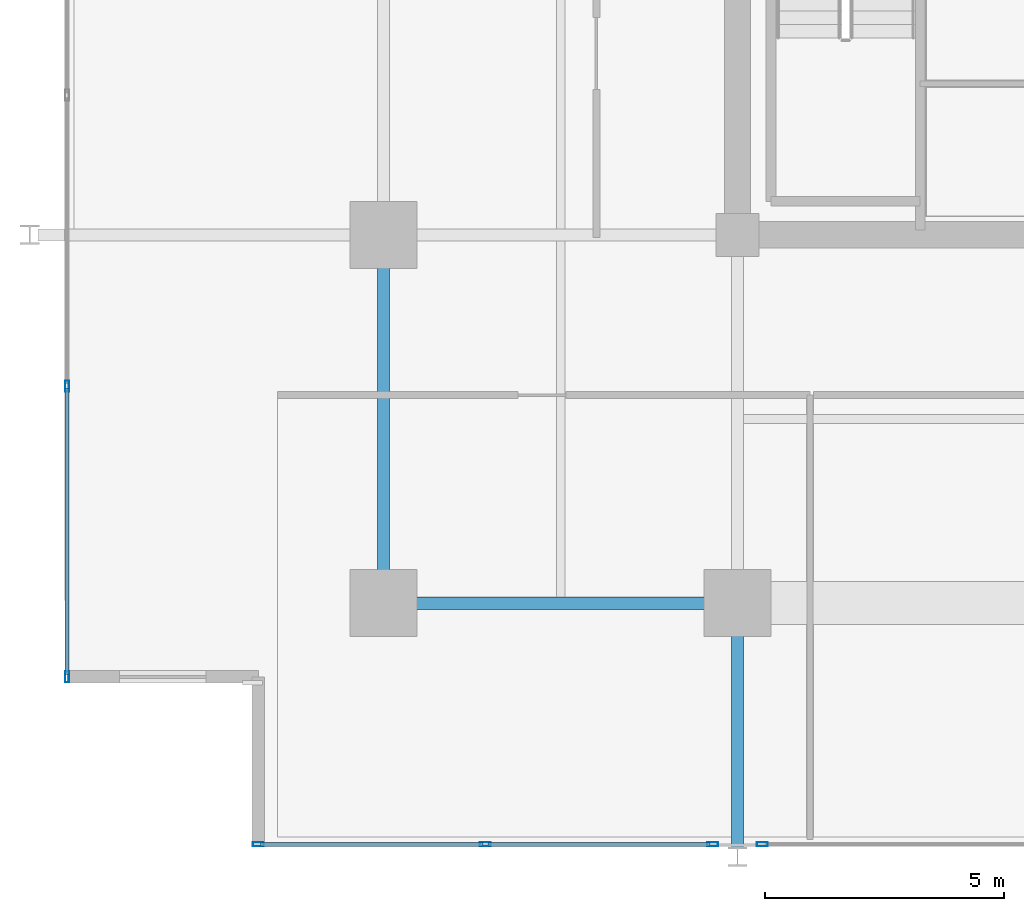
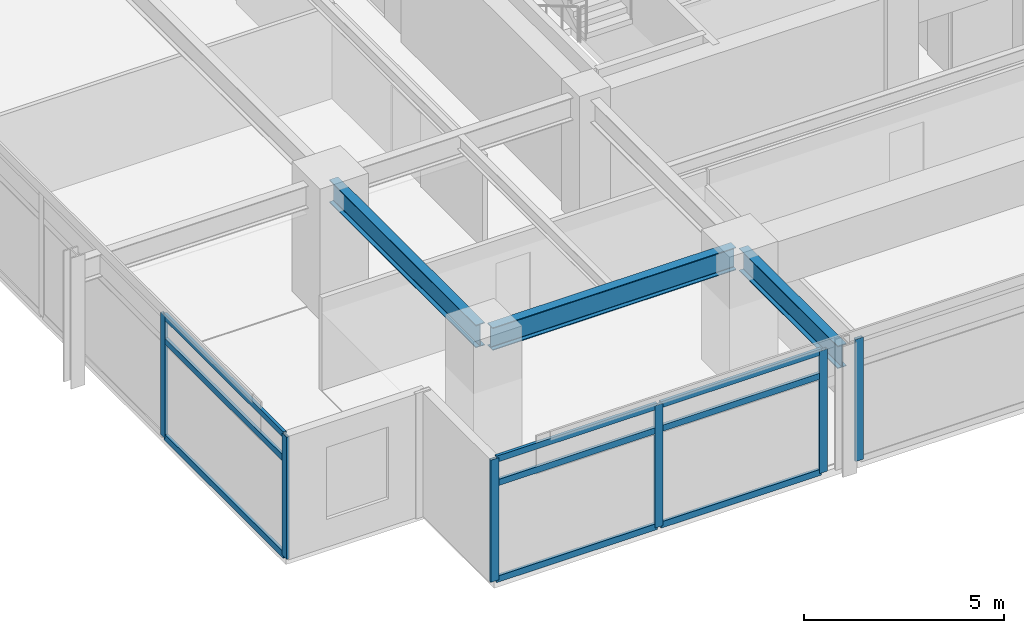
# One storey, part 2 of 21: 15 members, 3 beams, 3 elements without a shape of their own.
"""IFC4 building model written with IfcOpenShell, lengths in metres."""

import ifcopenshell
import ifcopenshell.guid

model = None  # the IFC model being written
_history = None  # IfcOwnerHistory: only IFC2X3 demands one
_inside = {}  # id of a spatial element -> (the spatial element, [elements in it])
_under = {}  # id of a project, library or spatial element -> (it, [spatial elements below it])
_declared = {}  # id of a project -> (the project, [libraries it declares])
_typed = {}  # id of a type object -> (the type object, [elements of that type])
_made_of = {}  # id of a material, layer set ... -> (it, [elements and type objects made of it])


def new_model(schema):
    """Start an empty IFC model of exactly this schema.

    Asked for "IFC4X3", IfcOpenShell would pick the latest addendum, in which some entities
    have other attributes; the version numbers below select the first issue.
    IFC2X3 requires an IfcOwnerHistory on every rooted entity: one is made here for all.
    """
    global model, _history
    if schema == "IFC4X3":
        model = ifcopenshell.file(schema_version=(4, 3, 0, 0))
    else:
        model = ifcopenshell.file(schema=schema)
    _inside.clear()
    _under.clear()
    _declared.clear()
    _typed.clear()
    _made_of.clear()
    _history = None
    if model.schema == "IFC2X3":
        org = make("IfcOrganization", Name="unknown")
        user = make(
            "IfcPersonAndOrganization",
            ThePerson=make("IfcPerson", FamilyName="unknown"),
            TheOrganization=org,
        )
        app = make(
            "IfcApplication",
            ApplicationDeveloper=org,
            Version="unknown",
            ApplicationFullName="unknown",
            ApplicationIdentifier="unknown",
        )
        _history = make(
            "IfcOwnerHistory",
            OwningUser=user,
            OwningApplication=app,
            ChangeAction="ADDED",
            CreationDate=0,
        )
    return model


def make(cls, **values):
    """One entity of the class cls with the attributes given. An attribute that is None is left unset."""
    return model.create_entity(
        cls, **{name: value for name, value in values.items() if value is not None}
    )


def rooted(cls, **values):
    """An entity with a GlobalId (a new one), such as an element, a storey or a relation."""
    return make(cls, GlobalId=ifcopenshell.guid.new(), OwnerHistory=_history, **values)


def si_unit(unit_type, name, prefix=None):
    """IfcSIUnit, for example si_unit("LENGTHUNIT", "METRE", prefix="MILLI")."""
    return make("IfcSIUnit", UnitType=unit_type, Prefix=prefix, Name=name)


def assignment(units):
    """IfcUnitAssignment: the units of a project."""
    return None if units is None else make("IfcUnitAssignment", Units=units)


def point(xyz):
    """IfcCartesianPoint."""
    return None if xyz is None else make("IfcCartesianPoint", Coordinates=xyz)


def direction(xyz):
    """IfcDirection."""
    return None if xyz is None else make("IfcDirection", DirectionRatios=xyz)


def frame(location, z_axis=None, x_axis=None):
    """IfcAxis2Placement3D, a coordinate frame: its origin and axes. An axis left out is left unset."""
    return make(
        "IfcAxis2Placement3D",
        Location=point(location),
        Axis=direction(z_axis),
        RefDirection=direction(x_axis),
    )


def frame_2d(location, x_axis=None):
    """IfcAxis2Placement2D, a coordinate frame in the plane: its origin and x axis."""
    return make(
        "IfcAxis2Placement2D", Location=point(location), RefDirection=direction(x_axis)
    )


def origin():
    """The frame at (0, 0, 0) with its axes left unset."""
    return frame((0.0, 0.0, 0.0))


def origin_2d():
    """The frame at (0, 0) in the plane with its x axis left unset."""
    return frame_2d((0.0, 0.0))


def place(relative_to, where):
    """IfcLocalPlacement: puts the frame where relative to a parent placement (None: the world)."""
    return make(
        "IfcLocalPlacement", PlacementRelTo=relative_to, RelativePlacement=where
    )


def context(
    kind, dimensions, precision=None, world=None, true_north=None, identifier=None
):
    """IfcGeometricRepresentationContext, for example the 3D "Model" context."""
    return make(
        "IfcGeometricRepresentationContext",
        ContextIdentifier=identifier,
        ContextType=kind,
        CoordinateSpaceDimension=dimensions,
        Precision=precision,
        WorldCoordinateSystem=world,
        TrueNorth=true_north,
    )


def subcontext(parent, identifier, kind, view, scale=None):
    """IfcGeometricRepresentationSubContext, for example "Body" below "Model"."""
    return make(
        "IfcGeometricRepresentationSubContext",
        ContextIdentifier=identifier,
        ContextType=kind,
        ParentContext=parent,
        TargetScale=scale,
        TargetView=view,
    )


def project(units=None, contexts=None):
    """IfcProject with its units and contexts."""
    return rooted(
        "IfcProject",
        Name="project",
        RepresentationContexts=contexts,
        UnitsInContext=assignment(units),
    )


def spatial(cls, under=None, at=None, **own):
    """A site, building, storey or space (cls), placed at a placement, below another one or the project."""
    s = rooted(cls, ObjectPlacement=at, **own)
    if under is not None:
        _under.setdefault(under.id(), (under, []))[1].append(s)
    return s


def profile(cls, at=None, kind="AREA", **sizes):
    """A parametric profile (cls). Its sizes go by their IFC names, for example OverallWidth=200.0."""
    return make(cls, ProfileType=kind, Position=at, **sizes)


def hollow_rectangle(**sizes):
    """IfcRectangleHollowProfileDef."""
    return profile("IfcRectangleHollowProfileDef", **sizes)


def i_section(**sizes):
    """IfcIShapeProfileDef."""
    return profile("IfcIShapeProfileDef", **sizes)


def extrude(swept, where, along, depth):
    """IfcExtrudedAreaSolid: the profile swept, set in the frame where, extruded along a direction by depth."""
    return make(
        "IfcExtrudedAreaSolid",
        SweptArea=swept,
        Position=where,
        ExtrudedDirection=direction(along),
        Depth=depth,
    )


def shape(context_of_items, identifier, shape_type, items):
    """IfcShapeRepresentation: the items that make up one representation, for example the "Body"."""
    return make(
        "IfcShapeRepresentation",
        ContextOfItems=context_of_items,
        RepresentationIdentifier=identifier,
        RepresentationType=shape_type,
        Items=items,
    )


def material(Name=None, Category=None):
    """IfcMaterial."""
    return make("IfcMaterial", Name=Name, Category=Category)


def material_profile(
    of_material, cross_section, Name=None, Category=None, Priority=None
):
    """IfcMaterialProfile: a cross section and its material."""
    return make(
        "IfcMaterialProfile",
        Name=Name,
        Material=of_material,
        Profile=cross_section,
        Priority=Priority,
        Category=Category,
    )


def profile_set(profiles, Name=None, composite=None):
    """IfcMaterialProfileSet."""
    return make(
        "IfcMaterialProfileSet",
        Name=Name,
        MaterialProfiles=profiles,
        CompositeProfile=composite,
    )


def made_of(thing, what):
    """Note that an element or type object is made of a material, layer set ...; save() writes the relation."""
    if what is not None:
        _made_of.setdefault(what.id(), (what, []))[1].append(thing)
    return thing


def type_object(cls, material=None, **own):
    """A type object (cls), such as IfcWallType, which elements share."""
    return made_of(rooted(cls, **own), material)


def element(
    cls,
    number,
    at=None,
    inside=None,
    cuts=None,
    type_object=None,
    material=None,
    context=None,
    identifier="Body",
    shape_type=None,
    held_by="IfcProductDefinitionShape",
    body=None,
    shapes=None,
    **own,
):
    """One element of the class cls, such as IfcWall. Its Tag is "e" and its number.

    at: its placement. inside: the storey or other place that contains it. cuts: it is an
    opening in that element (IfcRelVoidsElement). A single representation is given by context,
    identifier, shape_type and body (its items); several are given by shapes. held_by: the class
    of the entity that holds the representations. save() writes the other relations.
    """
    e = rooted(cls, Tag="e%d" % number, ObjectPlacement=at, **own)
    if body is not None:
        shapes = [shape(context, identifier, shape_type, body)]
    if shapes is not None:
        e.Representation = make(held_by, Representations=shapes)
    if inside is not None:
        _inside.setdefault(inside.id(), (inside, []))[1].append(e)
    if cuts is not None:
        rooted(
            "IfcRelVoidsElement", RelatingBuildingElement=cuts, RelatedOpeningElement=e
        )
    if type_object is not None:
        _typed.setdefault(type_object.id(), (type_object, []))[1].append(e)
    return made_of(e, material)


def aggregate(whole, parts):
    """IfcRelAggregates: a whole, such as a stair, and the parts it consists of."""
    return rooted("IfcRelAggregates", RelatingObject=whole, RelatedObjects=parts)


def save(model, path):
    """Write the relations noted so far, then the file.

    IfcRelAggregates (storeys below a building ...), IfcRelContainedInSpatialStructure (elements
    in a storey), IfcRelDefinesByType, IfcRelAssociatesMaterial and IfcRelDeclares: one each for
    every whole, place, type object, material and project.
    """
    for whole, parts in _under.values():
        aggregate(whole, parts)
    for where, things in _inside.values():
        rooted(
            "IfcRelContainedInSpatialStructure",
            RelatedElements=things,
            RelatingStructure=where,
        )
    for kind, things in _typed.values():
        rooted("IfcRelDefinesByType", RelatedObjects=things, RelatingType=kind)
    for what, things in _made_of.values():
        rooted("IfcRelAssociatesMaterial", RelatedObjects=things, RelatingMaterial=what)
    for by, libraries in _declared.values():
        rooted("IfcRelDeclares", RelatingContext=by, RelatedDefinitions=libraries)
    model.write(path)


model = new_model("IFC4")

# Units and contexts
model_context = context("Model", 3, precision=1e-05, world=origin(), true_north=direction((0.0, 1.0)))
body_context = subcontext(model_context, "Body", "Model", "MODEL_VIEW")
ifc_project = project(units=[si_unit("LENGTHUNIT", "METRE"), si_unit("AREAUNIT", "SQUARE_METRE"), si_unit("VOLUMEUNIT", "CUBIC_METRE"), si_unit("PLANEANGLEUNIT", "RADIAN"), si_unit("MASSUNIT", "GRAM", prefix="KILO")], contexts=[model_context])

# Site, building, storey
site_placement = place(None, origin())
site = spatial("IfcSite", under=ifc_project, at=site_placement, CompositionType="ELEMENT")
building_placement = place(site_placement, origin())
building = spatial("IfcBuilding", under=site, at=building_placement, Name="Kovane Verandah Tower", CompositionType="ELEMENT")
storey_placement = place(building_placement, frame((0.0, 0.0, 209.199951171875)))
storey = spatial("IfcBuildingStorey", under=building, at=storey_placement, Name="L48", CompositionType="ELEMENT", Elevation=209.199951171875)

# Beams
ifc_material_1 = material(Name="Steel S355", Category="steel")
ifc_material_profile_1 = material_profile(ifc_material_1, i_section(OverallWidth=0.255859375, OverallDepth=0.69287109375, WebThickness=0.014404296875, FlangeThickness=0.023681640625, FilletRadius=0.01513671875, at=origin_2d()), Name="UB686x254x170")
ifc_profile_set_1 = profile_set([ifc_material_profile_1], Name="Steel S355")
beam_type = type_object("IfcBeamType", Name="BM-UB686x170", PredefinedType="BEAM", material=ifc_profile_set_1)
beam_1_placement = place(storey_placement, frame((21.780029296875, 10.800048828125, 3.428466796875), z_axis=(1.0, 0.0, 0.0), x_axis=(0.0, 1.0, 0.0)))
element("IfcBeam", 1, at=beam_1_placement, inside=storey, type_object=beam_type, Name="L48 Primary Tower Girder G-RS1", PredefinedType="BEAM", context=body_context, shape_type="SweptSolid", body=[
    extrude(i_section(OverallWidth=0.255859375, OverallDepth=0.69287109375, WebThickness=0.014404296875, FlangeThickness=0.023681640625, FilletRadius=0.01513671875, at=origin_2d()), origin(), (0.0, 0.0, 1.0), 7.0400390625),
])
beam_2_placement = place(storey_placement, frame((21.60009765625, 10.97998046875, 3.428466796875), z_axis=(0.0, 1.0, 0.0), x_axis=(-1.0, 0.0, 0.0)))
element("IfcBeam", 2, at=beam_2_placement, inside=storey, type_object=beam_type, Name="L48 Primary Tower Girder G-RW1", PredefinedType="BEAM", context=body_context, shape_type="SweptSolid", body=[
    extrude(i_section(OverallWidth=0.255859375, OverallDepth=0.69287109375, WebThickness=0.014404296875, FlangeThickness=0.023681640625, FilletRadius=0.01513671875, at=origin_2d()), origin(), (0.0, 0.0, 1.0), 7.340087890625),
])
beam_3_placement = place(storey_placement, frame((29.0, 10.6201171875, 3.41357421875), z_axis=(0.0, -1.0, 0.0), x_axis=(1.0, 0.0, 0.0)))
element("IfcBeam", 3, at=beam_3_placement, inside=storey, type_object=beam_type, Name="L48 Primary Tower Girder G-VS1", PredefinedType="BEAM", context=body_context, shape_type="SweptSolid", body=[
    extrude(i_section(OverallWidth=0.255859375, OverallDepth=0.69287109375, WebThickness=0.014404296875, FlangeThickness=0.023681640625, FilletRadius=0.01513671875, at=origin_2d()), origin(), (0.0, 0.0, 1.0), 4.940185546875),
])

# Curtain wall, members
ifc_material_2 = material(Name="Champagne Anodised Aluminium Frame with Low-E Clear Laminated Glass", Category="aluminium")
curtain_wall_type = type_object("IfcCurtainWallType", Name="CW-SYS-03-MID", PredefinedType="NOTDEFINED", material=ifc_material_2)
curtain_wall_1_placement = place(storey_placement, origin())
curtain_wall_1 = element("IfcCurtainWall", 4, at=curtain_wall_1_placement, inside=storey, type_object=curtain_wall_type, Name="L48 S Unitised Curtain Wall-1", PredefinedType="NOTDEFINED")
ifc_material_3 = material(Name="Champagne Anodised Aluminium 6063-T6", Category="aluminium")
ifc_material_profile_2 = material_profile(ifc_material_3, hollow_rectangle(XDim=0.0849609375, YDim=0.22998046875, WallThickness=0.00390625, at=origin_2d()), Name="AL85x230x4")
ifc_profile_set_2 = profile_set([ifc_material_profile_2], Name="Champagne Anodised Aluminium 6063-T6")
member_type_1 = type_object("IfcMemberType", Name="CW-MUL-85x230", PredefinedType="MULLION", material=ifc_profile_set_2)
member_1_placement = place(storey_placement, frame((18.982177734375, 5.75830078125, 0.02001953125), z_axis=(0.0, 0.0, 1.0), x_axis=(0.0, -1.0, 0.0)))
member_1 = element("IfcMember", 5, at=member_1_placement, type_object=member_type_1, Name="L48 S Unitised Curtain Wall-1 Mullion 1", PredefinedType="MULLION", context=body_context, shape_type="SweptSolid", body=[
    extrude(hollow_rectangle(XDim=0.0849609375, YDim=0.22998046875, WallThickness=0.00390625, at=origin_2d()), origin(), (0.0, 0.0, 1.0), 3.735107421875),
])
member_2_placement = place(storey_placement, frame((23.73095703125, 5.75830078125, 0.02001953125), z_axis=(0.0, 0.0, 1.0), x_axis=(0.0, -1.0, 0.0)))
member_2 = element("IfcMember", 6, at=member_2_placement, type_object=member_type_1, Name="L48 S Unitised Curtain Wall-1 Mullion 2", PredefinedType="MULLION", context=body_context, shape_type="SweptSolid", body=[
    extrude(hollow_rectangle(XDim=0.0849609375, YDim=0.22998046875, WallThickness=0.00390625, at=origin_2d()), origin(), (0.0, 0.0, 1.0), 3.735107421875),
])
member_3_placement = place(storey_placement, frame((28.47998046875, 5.75830078125, 0.02001953125), z_axis=(0.0, 0.0, 1.0), x_axis=(0.0, -1.0, 0.0)))
member_3 = element("IfcMember", 7, at=member_3_placement, type_object=member_type_1, Name="L48 S Unitised Curtain Wall-1 Mullion 3", PredefinedType="MULLION", context=body_context, shape_type="SweptSolid", body=[
    extrude(hollow_rectangle(XDim=0.0849609375, YDim=0.22998046875, WallThickness=0.00390625, at=origin_2d()), origin(), (0.0, 0.0, 1.0), 3.735107421875),
])

# Curtain wall, member
curtain_wall_2_placement = place(storey_placement, origin())
curtain_wall_2 = element("IfcCurtainWall", 8, at=curtain_wall_2_placement, inside=storey, type_object=curtain_wall_type, Name="L48 S Unitised Curtain Wall-2", PredefinedType="NOTDEFINED")
member_4_placement = place(storey_placement, frame((29.52001953125, 5.75830078125, 0.02001953125), z_axis=(0.0, 0.0, 1.0), x_axis=(0.0, -1.0, 0.0)))
member_4 = element("IfcMember", 9, at=member_4_placement, type_object=member_type_1, Name="L48 S Unitised Curtain Wall-2 Mullion 1", PredefinedType="MULLION", context=body_context, shape_type="SweptSolid", body=[
    extrude(hollow_rectangle(XDim=0.0849609375, YDim=0.22998046875, WallThickness=0.00390625, at=origin_2d()), origin(), (0.0, 0.0, 1.0), 3.735107421875),
])
aggregate(curtain_wall_2, [member_4])

# Curtain wall, members
curtain_wall_3_placement = place(storey_placement, origin())
curtain_wall_3 = element("IfcCurtainWall", 10, at=curtain_wall_3_placement, inside=storey, type_object=curtain_wall_type, Name="L48 W Unitised Curtain Wall", PredefinedType="NOTDEFINED")
member_5_placement = place(storey_placement, frame((14.982177734375, 15.3388671875, 0.02001953125), z_axis=(0.0, 0.0, 1.0), x_axis=(-1.0, 0.0, 0.0)))
member_5 = element("IfcMember", 11, at=member_5_placement, type_object=member_type_1, Name="L48 W Unitised Curtain Wall Mullion 6", PredefinedType="MULLION", context=body_context, shape_type="SweptSolid", body=[
    extrude(hollow_rectangle(XDim=0.0849609375, YDim=0.22998046875, WallThickness=0.00390625, at=origin_2d()), origin(), (0.0, 0.0, 1.0), 3.735107421875),
])
member_6_placement = place(storey_placement, frame((14.982177734375, 9.25830078125, 0.02001953125), z_axis=(0.0, 0.0, 1.0), x_axis=(-1.0, 0.0, 0.0)))
member_6 = element("IfcMember", 12, at=member_6_placement, type_object=member_type_1, Name="L48 W Unitised Curtain Wall Mullion 7", PredefinedType="MULLION", context=body_context, shape_type="SweptSolid", body=[
    extrude(hollow_rectangle(XDim=0.0849609375, YDim=0.22998046875, WallThickness=0.00390625, at=origin_2d()), origin(), (0.0, 0.0, 1.0), 3.735107421875),
])

# Member
ifc_material_profile_3 = material_profile(ifc_material_3, hollow_rectangle(XDim=0.0849609375, YDim=0.18994140625, WallThickness=0.00390625, at=origin_2d()), Name="AL85x190x4")
ifc_profile_set_3 = profile_set([ifc_material_profile_3], Name="Champagne Anodised Aluminium 6063-T6")
member_type_2 = type_object("IfcMemberType", Name="CW-TRN-85x190", PredefinedType="USERDEFINED", material=ifc_profile_set_3)
member_7_placement = place(storey_placement, frame((19.031982421875, 5.75830078125, 0.050048828125), z_axis=(1.0, 0.0, 0.0), x_axis=(0.0, 1.0, 0.0)))
member_7 = element("IfcMember", 13, at=member_7_placement, type_object=member_type_2, Name="L48 S Unitised Curtain Wall-1 Transom TB Bay 1", ObjectType="TRANSOM", PredefinedType="USERDEFINED", context=body_context, shape_type="SweptSolid", body=[
    extrude(hollow_rectangle(XDim=0.0849609375, YDim=0.18994140625, WallThickness=0.00390625, at=origin_2d()), origin(), (0.0, 0.0, 1.0), 4.64892578125),
])

member_8_placement = place(storey_placement, frame((19.031982421875, 5.75830078125, 2.9951171875), z_axis=(1.0, 0.0, 0.0), x_axis=(0.0, 1.0, 0.0)))
member_8 = element("IfcMember", 14, at=member_8_placement, type_object=member_type_2, Name="L48 S Unitised Curtain Wall-1 Transom TM Bay 1", ObjectType="TRANSOM", PredefinedType="USERDEFINED", context=body_context, shape_type="SweptSolid", body=[
    extrude(hollow_rectangle(XDim=0.0849609375, YDim=0.18994140625, WallThickness=0.00390625, at=origin_2d()), origin(), (0.0, 0.0, 1.0), 4.64892578125),
])

member_9_placement = place(storey_placement, frame((19.031982421875, 5.75830078125, 3.72509765625), z_axis=(1.0, 0.0, 0.0), x_axis=(0.0, 1.0, 0.0)))
member_9 = element("IfcMember", 15, at=member_9_placement, type_object=member_type_2, Name="L48 S Unitised Curtain Wall-1 Transom TT Bay 1", ObjectType="TRANSOM", PredefinedType="USERDEFINED", context=body_context, shape_type="SweptSolid", body=[
    extrude(hollow_rectangle(XDim=0.0849609375, YDim=0.18994140625, WallThickness=0.00390625, at=origin_2d()), origin(), (0.0, 0.0, 1.0), 4.64892578125),
])

member_10_placement = place(storey_placement, frame((23.781005859375, 5.75830078125, 0.050048828125), z_axis=(1.0, 0.0, 0.0), x_axis=(0.0, 1.0, 0.0)))
member_10 = element("IfcMember", 16, at=member_10_placement, type_object=member_type_2, Name="L48 S Unitised Curtain Wall-1 Transom TB Bay 2", ObjectType="TRANSOM", PredefinedType="USERDEFINED", context=body_context, shape_type="SweptSolid", body=[
    extrude(hollow_rectangle(XDim=0.0849609375, YDim=0.18994140625, WallThickness=0.00390625, at=origin_2d()), origin(), (0.0, 0.0, 1.0), 4.64892578125),
])

member_11_placement = place(storey_placement, frame((23.781005859375, 5.75830078125, 2.9951171875), z_axis=(1.0, 0.0, 0.0), x_axis=(0.0, 1.0, 0.0)))
member_11 = element("IfcMember", 17, at=member_11_placement, type_object=member_type_2, Name="L48 S Unitised Curtain Wall-1 Transom TM Bay 2", ObjectType="TRANSOM", PredefinedType="USERDEFINED", context=body_context, shape_type="SweptSolid", body=[
    extrude(hollow_rectangle(XDim=0.0849609375, YDim=0.18994140625, WallThickness=0.00390625, at=origin_2d()), origin(), (0.0, 0.0, 1.0), 4.64892578125),
])

member_12_placement = place(storey_placement, frame((23.781005859375, 5.75830078125, 3.72509765625), z_axis=(1.0, 0.0, 0.0), x_axis=(0.0, 1.0, 0.0)))
member_12 = element("IfcMember", 18, at=member_12_placement, type_object=member_type_2, Name="L48 S Unitised Curtain Wall-1 Transom TT Bay 2", ObjectType="TRANSOM", PredefinedType="USERDEFINED", context=body_context, shape_type="SweptSolid", body=[
    extrude(hollow_rectangle(XDim=0.0849609375, YDim=0.18994140625, WallThickness=0.00390625, at=origin_2d()), origin(), (0.0, 0.0, 1.0), 4.64892578125),
])

aggregate(curtain_wall_1, [member_1, member_2, member_3, member_7, member_8, member_9, member_10, member_11, member_12])

member_13_placement = place(storey_placement, frame((14.982177734375, 15.288818359375, 0.050048828125), z_axis=(0.0, -1.0, 0.0), x_axis=(1.0, 0.0, 0.0)))
member_13 = element("IfcMember", 19, at=member_13_placement, type_object=member_type_2, Name="L48 W Unitised Curtain Wall Transom TB Bay 6", ObjectType="TRANSOM", PredefinedType="USERDEFINED", context=body_context, shape_type="SweptSolid", body=[
    extrude(hollow_rectangle(XDim=0.0849609375, YDim=0.18994140625, WallThickness=0.00390625, at=origin_2d()), origin(), (0.0, 0.0, 1.0), 5.98046875),
])

member_14_placement = place(storey_placement, frame((14.982177734375, 15.288818359375, 2.9951171875), z_axis=(0.0, -1.0, 0.0), x_axis=(1.0, 0.0, 0.0)))
member_14 = element("IfcMember", 20, at=member_14_placement, type_object=member_type_2, Name="L48 W Unitised Curtain Wall Transom TM Bay 6", ObjectType="TRANSOM", PredefinedType="USERDEFINED", context=body_context, shape_type="SweptSolid", body=[
    extrude(hollow_rectangle(XDim=0.0849609375, YDim=0.18994140625, WallThickness=0.00390625, at=origin_2d()), origin(), (0.0, 0.0, 1.0), 5.98046875),
])

member_15_placement = place(storey_placement, frame((14.982177734375, 15.288818359375, 3.72509765625), z_axis=(0.0, -1.0, 0.0), x_axis=(1.0, 0.0, 0.0)))
member_15 = element("IfcMember", 21, at=member_15_placement, type_object=member_type_2, Name="L48 W Unitised Curtain Wall Transom TT Bay 6", ObjectType="TRANSOM", PredefinedType="USERDEFINED", context=body_context, shape_type="SweptSolid", body=[
    extrude(hollow_rectangle(XDim=0.0849609375, YDim=0.18994140625, WallThickness=0.00390625, at=origin_2d()), origin(), (0.0, 0.0, 1.0), 5.98046875),
])

aggregate(curtain_wall_3, [member_5, member_6, member_13, member_14, member_15])

save(model, "model.ifc")
